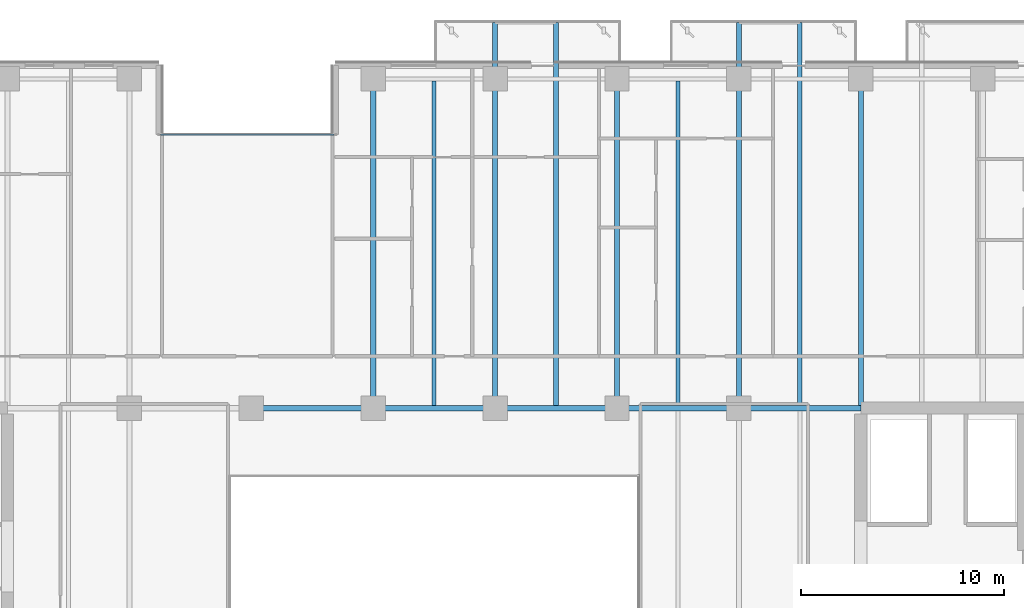
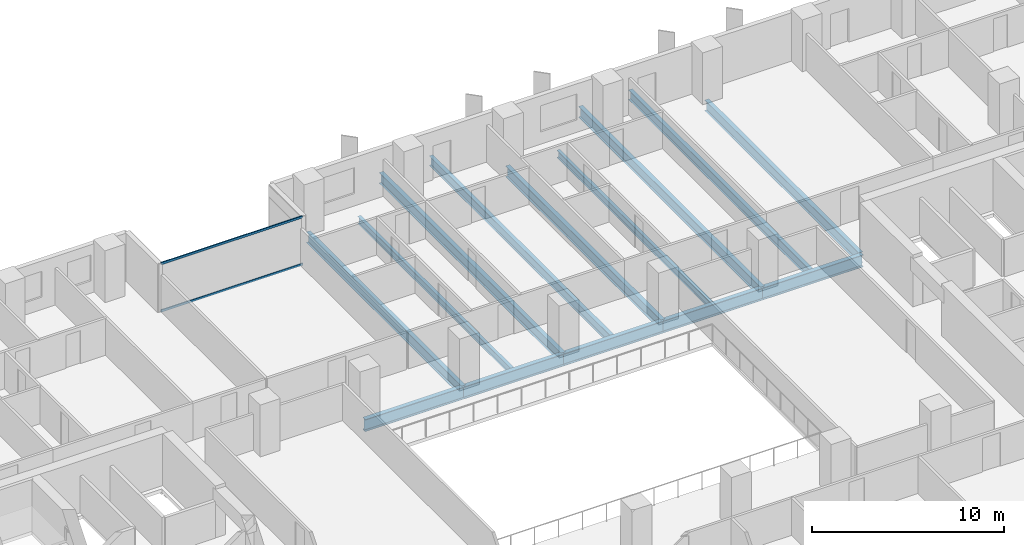
# One storey, part 10 of 33: 14 beams, 2 members, 1 element without a shape of its own.
"""IFC4 building model written with IfcOpenShell, lengths in metres."""

from ifc_helpers import new_model, si_unit, direction, frame, origin, origin_2d, place, context, subcontext, project, spatial, hollow_rectangle, i_section, extrude, material, layer, layer_set, material_profile, profile_set, type_object, element, aggregate, save


model = new_model("IFC4")

# Units and contexts
model_context = context("Model", 3, precision=1e-05, world=origin(), true_north=direction((0.0, 1.0)))
body_context = subcontext(model_context, "Body", "Model", "MODEL_VIEW")
ifc_project = project(units=[si_unit("LENGTHUNIT", "METRE"), si_unit("AREAUNIT", "SQUARE_METRE"), si_unit("VOLUMEUNIT", "CUBIC_METRE"), si_unit("PLANEANGLEUNIT", "RADIAN"), si_unit("MASSUNIT", "GRAM", prefix="KILO")], contexts=[model_context])

# Site, building, storey
site_placement = place(None, origin())
site = spatial("IfcSite", under=ifc_project, at=site_placement, CompositionType="ELEMENT")
building_placement = place(site_placement, origin())
building = spatial("IfcBuilding", under=site, at=building_placement, Name="Tanjung Sevakor Pilgrim Tower", CompositionType="ELEMENT")
storey_placement = place(building_placement, frame((0.0, 0.0, 35.639892578125)))
storey = spatial("IfcBuildingStorey", under=building, at=storey_placement, Name="L09", CompositionType="ELEMENT", Elevation=35.639892578125)

# Beams
ifc_material_1 = material(Name="Steel S355J2", Category="steel")
ifc_material_profile_1 = material_profile(ifc_material_1, i_section(OverallWidth=0.26806640625, OverallDepth=0.769775390625, WebThickness=0.015625, FlangeThickness=0.025390625, FilletRadius=0.0166015625, at=origin_2d()))
ifc_profile_set_1 = profile_set([ifc_material_profile_1], Name="Steel S355J2")
beam_type_1 = type_object("IfcBeamType", Name="BM-B-G1-UB_762x267x197", PredefinedType="BEAM", material=ifc_profile_set_1)
for number, where, z_axis, x_axis, name in (
    (1, (48.0, 42.60009765625, -0.604736328125), (1.0, 0.0, 0.0), (0.0, 1.0, 0.0), "L09 Primary Floor Girder MAIN Y426-04"),
    (2, (54.0, 42.60009765625, -0.604736328125), (1.0, 0.0, 0.0), (0.0, 1.0, 0.0), "L09 Primary Floor Girder MAIN Y426-05"),
    (3, (60.0, 42.60009765625, -0.604736328125), (1.0, 0.0, 0.0), (0.0, 1.0, 0.0), "L09 Primary Floor Girder MAIN Y426-06"),
    (4, (66.0, 42.60009765625, -0.604736328125), (1.0, 0.0, 0.0), (0.0, 1.0, 0.0), "L09 Primary Floor Girder MAIN Y426-07"),
    (5, (72.0, 42.60009765625, -0.604736328125), (1.0, 0.0, 0.0), (0.0, 1.0, 0.0), "L09 Primary Floor Girder MAIN Y426-08"),
):
    element("IfcBeam", number, at=place(storey_placement, frame(where, z_axis=z_axis, x_axis=x_axis)), inside=storey, type_object=beam_type_1, Name=name, PredefinedType="BEAM", context=body_context, shape_type="SweptSolid", body=[
        extrude(i_section(OverallWidth=0.26806640625, OverallDepth=0.769775390625, WebThickness=0.015625, FlangeThickness=0.025390625, FilletRadius=0.0166015625, at=origin_2d()), origin(), (0.0, 0.0, 1.0), 6.0),
    ])
ifc_material_2 = material(Name="Steel S355J2", Category="steel")
ifc_material_profile_2 = material_profile(ifc_material_2, i_section(OverallWidth=0.25439453125, OverallDepth=0.6875, WebThickness=0.01318359375, FlangeThickness=0.02099609375, FilletRadius=0.01513671875, at=origin_2d()))
ifc_profile_set_2 = profile_set([ifc_material_profile_2], Name="Steel S355J2")
beam_type_2 = type_object("IfcBeamType", Name="BM-B-G2-UB_686x254x152", PredefinedType="BEAM", material=ifc_profile_set_2)
beam_1_placement = place(storey_placement, frame((54.0, 42.60009765625, -0.5634765625), z_axis=(0.0, 1.0, 0.0), x_axis=(-1.0, 0.0, 0.0)))
element("IfcBeam", 6, at=beam_1_placement, inside=storey, type_object=beam_type_2, Name="L09 MAIN Girder 014", PredefinedType="BEAM", context=body_context, shape_type="SweptSolid", body=[
    extrude(i_section(OverallWidth=0.25439453125, OverallDepth=0.6875, WebThickness=0.01318359375, FlangeThickness=0.02099609375, FilletRadius=0.01513671875, at=origin_2d()), origin(), (0.0, 0.0, 1.0), 16.199951171875),
])
beam_2_placement = place(storey_placement, frame((60.0, 42.60009765625, -0.5634765625), z_axis=(0.0, 1.0, 0.0), x_axis=(-1.0, 0.0, 0.0)))
element("IfcBeam", 7, at=beam_2_placement, inside=storey, type_object=beam_type_2, Name="L09 Balcony Cantilever Beam MAIN-N2-1", PredefinedType="BEAM", context=body_context, shape_type="SweptSolid", body=[
    extrude(i_section(OverallWidth=0.25439453125, OverallDepth=0.6875, WebThickness=0.01318359375, FlangeThickness=0.02099609375, FilletRadius=0.01513671875, at=origin_2d()), origin(), (0.0, 0.0, 1.0), 18.97998046875),
])
beam_3_placement = place(storey_placement, frame((66.0, 42.60009765625, -0.5634765625), z_axis=(0.0, 1.0, 0.0), x_axis=(-1.0, 0.0, 0.0)))
element("IfcBeam", 8, at=beam_3_placement, inside=storey, type_object=beam_type_2, Name="L09 MAIN Girder 018", PredefinedType="BEAM", context=body_context, shape_type="SweptSolid", body=[
    extrude(i_section(OverallWidth=0.25439453125, OverallDepth=0.6875, WebThickness=0.01318359375, FlangeThickness=0.02099609375, FilletRadius=0.01513671875, at=origin_2d()), origin(), (0.0, 0.0, 1.0), 16.199951171875),
])
beam_4_placement = place(storey_placement, frame((72.0, 42.60009765625, -0.5634765625), z_axis=(0.0, 1.0, 0.0), x_axis=(-1.0, 0.0, 0.0)))
element("IfcBeam", 9, at=beam_4_placement, inside=storey, type_object=beam_type_2, Name="L09 Balcony Cantilever Beam MAIN-N3-1", PredefinedType="BEAM", context=body_context, shape_type="SweptSolid", body=[
    extrude(i_section(OverallWidth=0.25439453125, OverallDepth=0.6875, WebThickness=0.01318359375, FlangeThickness=0.02099609375, FilletRadius=0.01513671875, at=origin_2d()), origin(), (0.0, 0.0, 1.0), 18.97998046875),
])
beam_5_placement = place(storey_placement, frame((78.0, 42.73388671875, -0.5634765625), z_axis=(0.0, 1.0, 0.0), x_axis=(-1.0, 0.0, 0.0)))
element("IfcBeam", 10, at=beam_5_placement, inside=storey, type_object=beam_type_2, Name="L09 MAIN Girder 025", PredefinedType="BEAM", context=body_context, shape_type="SweptSolid", body=[
    extrude(i_section(OverallWidth=0.25439453125, OverallDepth=0.6875, WebThickness=0.01318359375, FlangeThickness=0.02099609375, FilletRadius=0.01513671875, at=origin_2d()), origin(), (0.0, 0.0, 1.0), 16.066162109375),
])
ifc_material_3 = material(Name="Steel S355J2", Category="steel")
ifc_material_profile_3 = material_profile(ifc_material_3, i_section(OverallWidth=0.22900390625, OverallDepth=0.6123046875, WebThickness=0.011962890625, FlangeThickness=0.01953125, FilletRadius=0.0126953125, at=origin_2d()))
ifc_profile_set_3 = profile_set([ifc_material_profile_3], Name="Steel S355J2")
beam_type_3 = type_object("IfcBeamType", Name="BM-B-G4-UB_610x229x125", PredefinedType="BEAM", material=ifc_profile_set_3)
for number, where, z_axis, x_axis, name in (
    (11, (63.0, 42.73388671875, -0.52587890625), (0.0, 1.0, 0.0), (-1.0, 0.0, 0.0), "L09 Balcony Cantilever Beam MAIN-N2-2"),
    (12, (75.0, 42.73388671875, -0.52587890625), (0.0, 1.0, 0.0), (-1.0, 0.0, 0.0), "L09 Balcony Cantilever Beam MAIN-N3-2"),
):
    element("IfcBeam", number, at=place(storey_placement, frame(where, z_axis=z_axis, x_axis=x_axis)), inside=storey, type_object=beam_type_3, Name=name, PredefinedType="BEAM", context=body_context, shape_type="SweptSolid", body=[
        extrude(i_section(OverallWidth=0.22900390625, OverallDepth=0.6123046875, WebThickness=0.011962890625, FlangeThickness=0.01953125, FilletRadius=0.0126953125, at=origin_2d()), origin(), (0.0, 0.0, 1.0), 18.84619140625),
    ])
ifc_material_4 = material(Name="Steel S355J2", Category="steel")
ifc_material_profile_4 = material_profile(ifc_material_4, i_section(OverallWidth=0.19140625, OverallDepth=0.4599609375, WebThickness=0.010009765625, FlangeThickness=0.01611328125, FilletRadius=0.01025390625, at=origin_2d()))
ifc_profile_set_4 = profile_set([ifc_material_profile_4], Name="Steel S355J2")
beam_type_4 = type_object("IfcBeamType", Name="BM-B-J2-UB_457x191x82", PredefinedType="JOIST", material=ifc_profile_set_4)
for number, where, z_axis, x_axis, name in (
    (13, (57.0, 42.73388671875, -0.449951171875), (0.0, 1.0, 0.0), (-1.0, 0.0, 0.0), "L09 MAIN Joist 016"),
    (14, (69.0, 42.73388671875, -0.449951171875), (0.0, 1.0, 0.0), (-1.0, 0.0, 0.0), "L09 MAIN Joist 021"),
):
    element("IfcBeam", number, at=place(storey_placement, frame(where, z_axis=z_axis, x_axis=x_axis)), inside=storey, type_object=beam_type_4, Name=name, PredefinedType="JOIST", context=body_context, shape_type="SweptSolid", body=[
        extrude(i_section(OverallWidth=0.19140625, OverallDepth=0.4599609375, WebThickness=0.010009765625, FlangeThickness=0.01611328125, FilletRadius=0.01025390625, at=origin_2d()), origin(), (0.0, 0.0, 1.0), 15.966064453125),
    ])

# Curtain wall, members
ifc_material_5 = material(Name="Aluminium 6063-T6 and Low-E Glass", Category="aluminium")
ifc_layer = layer(ifc_material_5, 0.179931640625)
ifc_layer_set = layer_set([ifc_layer], Name="CW-SYS-CLEFT")
curtain_wall_type = type_object("IfcCurtainWallType", Name="CW-SYS-CLEFT", PredefinedType="NOTDEFINED", material=ifc_layer_set)
curtain_wall_placement = place(storey_placement, origin())
curtain_wall = element("IfcCurtainWall", 15, at=curtain_wall_placement, inside=storey, type_object=curtain_wall_type, Name="L09 Curtain Wall CW-CLF-L09-10", PredefinedType="NOTDEFINED")
ifc_material_6 = material(Name="Aluminium 6063-T6", Category="aluminium")
ifc_material_profile_5 = material_profile(ifc_material_6, hollow_rectangle(XDim=0.06494140625, YDim=0.139892578125, WallThickness=0.00390625, at=origin_2d()))
ifc_profile_set_5 = profile_set([ifc_material_profile_5], Name="Aluminium 6063-T6")
member_type = type_object("IfcMemberType", Name="TYPE-CWT-1", PredefinedType="USERDEFINED", material=ifc_profile_set_5)
member_1_placement = place(storey_placement, frame((52.06494140625, 56.06005859375, 0.03271484375), z_axis=(-1.0, 0.0, 0.0), x_axis=(0.0, -1.0, 0.0)))
member_1 = element("IfcMember", 16, at=member_1_placement, type_object=member_type, Name="CW-CLF transom 1.1", ObjectType="TRANSOM", PredefinedType="USERDEFINED", context=body_context, shape_type="SweptSolid", body=[
    extrude(hollow_rectangle(XDim=0.06494140625, YDim=0.139892578125, WallThickness=0.00390625, at=origin_2d()), origin(), (0.0, 0.0, 1.0), 8.530029296875),
])
member_2_placement = place(storey_placement, frame((52.06494140625, 56.06005859375, 3.047607421875), z_axis=(-1.0, 0.0, 0.0), x_axis=(0.0, -1.0, 0.0)))
member_2 = element("IfcMember", 17, at=member_2_placement, type_object=member_type, Name="CW-CLF transom 1.2", ObjectType="TRANSOM", PredefinedType="USERDEFINED", context=body_context, shape_type="SweptSolid", body=[
    extrude(hollow_rectangle(XDim=0.06494140625, YDim=0.139892578125, WallThickness=0.00390625, at=origin_2d()), origin(), (0.0, 0.0, 1.0), 8.530029296875),
])
aggregate(curtain_wall, [member_1, member_2])

save(model, "model.ifc")
